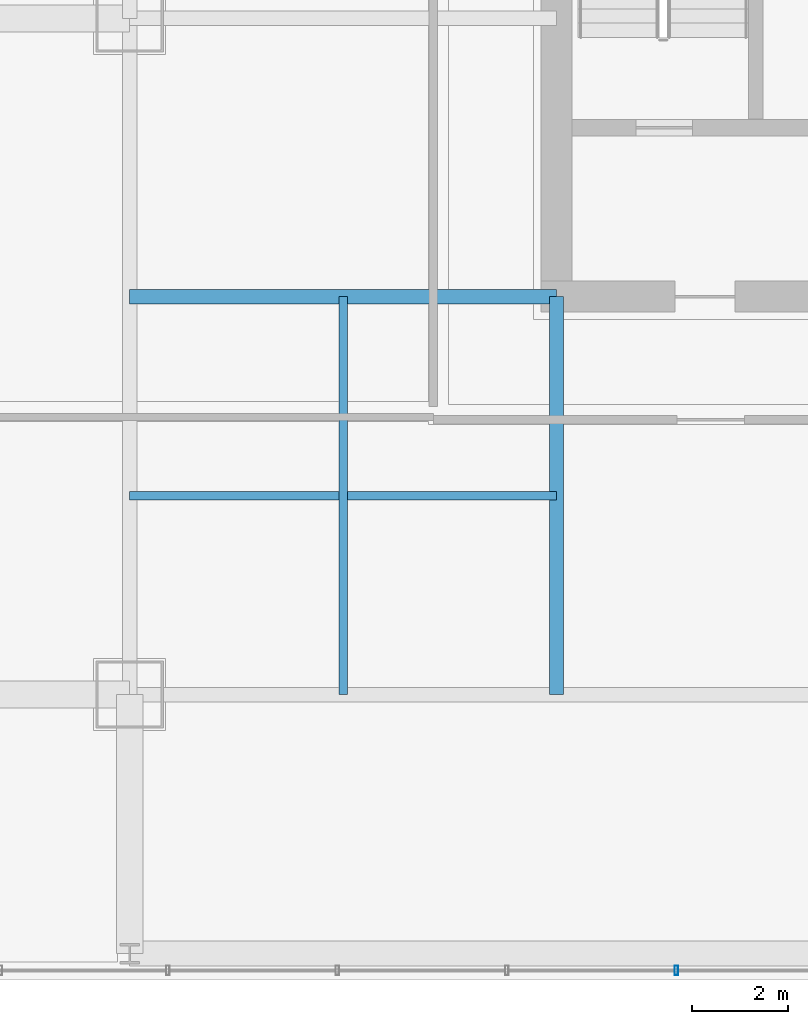
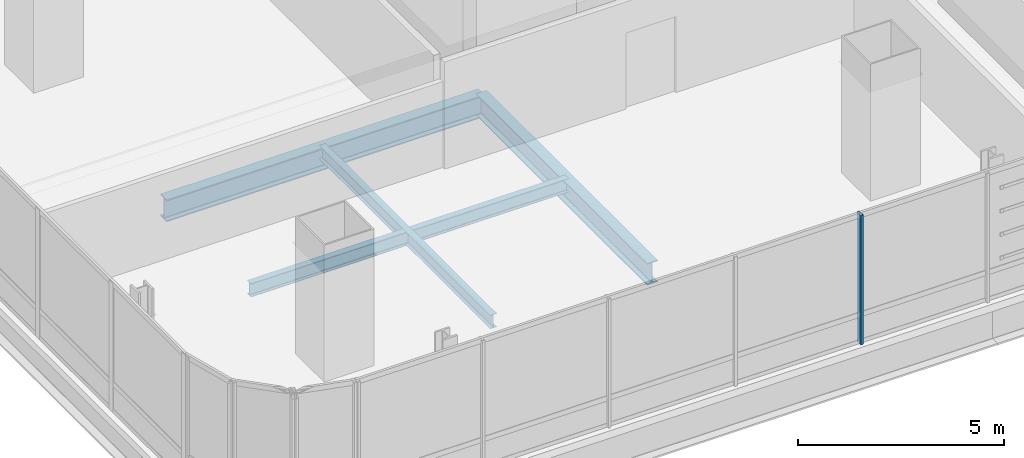
# One storey, part 5 of 37: 4 beams, 1 member, 1 element without a shape of its own.
"""IFC4 building model written with IfcOpenShell, lengths in metres."""

from ifc_helpers import new_model, si_unit, direction, frame, origin, origin_2d, place, context, subcontext, project, spatial, hollow_rectangle, i_section, extrude, material, material_profile, profile_set, type_object, element, aggregate, save


model = new_model("IFC4")

# Units and contexts
model_context = context("Model", 3, precision=1e-05, world=origin(), true_north=direction((0.0, 1.0)))
body_context = subcontext(model_context, "Body", "Model", "MODEL_VIEW")
ifc_project = project(units=[si_unit("LENGTHUNIT", "METRE"), si_unit("AREAUNIT", "SQUARE_METRE"), si_unit("VOLUMEUNIT", "CUBIC_METRE"), si_unit("PLANEANGLEUNIT", "RADIAN"), si_unit("MASSUNIT", "GRAM", prefix="KILO")], contexts=[model_context])

# Site, building, storey
site_placement = place(None, origin())
site = spatial("IfcSite", under=ifc_project, at=site_placement, CompositionType="ELEMENT")
building_placement = place(site_placement, origin())
building = spatial("IfcBuilding", under=site, at=building_placement, Name="Punatoya Terracotta Tower", CompositionType="ELEMENT")
storey_placement = place(building_placement, frame((0.0, 0.0, 192.449951171875)))
storey = spatial("IfcBuildingStorey", under=building, at=storey_placement, Name="L45", CompositionType="ELEMENT", Elevation=192.449951171875)

# Beams
ifc_material_1 = material(Name="Steel S355", Category="steel")
ifc_material_profile_1 = material_profile(ifc_material_1, i_section(OverallWidth=0.300048828125, OverallDepth=0.64990234375, WebThickness=0.01611328125, FlangeThickness=0.031005859375, FilletRadius=0.01806640625, at=origin_2d()))
ifc_profile_set_1 = profile_set([ifc_material_profile_1], Name="Steel S355")
beam_type_1 = type_object("IfcBeamType", Name="BM-PRI-650", PredefinedType="BEAM", material=ifc_profile_set_1)
beam_1_placement = place(storey_placement, frame((-19.10009765625, -9.199951171875, -0.544921875), z_axis=(1.0, 0.0, 0.0), x_axis=(0.0, 1.0, 0.0)))
element("IfcBeam", 1, at=beam_1_placement, inside=storey, type_object=beam_type_1, Name="BM-L45-PR-WS", PredefinedType="BEAM", context=body_context, shape_type="SweptSolid", body=[
    extrude(i_section(OverallWidth=0.300048828125, OverallDepth=0.64990234375, WebThickness=0.01611328125, FlangeThickness=0.031005859375, FilletRadius=0.01806640625, at=origin_2d()), origin(), (0.0, 0.0, 1.0), 8.900146484375),
])
beam_2_placement = place(storey_placement, frame((-10.199951171875, -17.5, -0.544921875), z_axis=(0.0, 1.0, 0.0), x_axis=(-1.0, 0.0, 0.0)))
element("IfcBeam", 2, at=beam_2_placement, inside=storey, type_object=beam_type_1, Name="BM-L45-PR-S1", PredefinedType="BEAM", context=body_context, shape_type="SweptSolid", body=[
    extrude(i_section(OverallWidth=0.300048828125, OverallDepth=0.64990234375, WebThickness=0.01611328125, FlangeThickness=0.031005859375, FilletRadius=0.01806640625, at=origin_2d()), origin(), (0.0, 0.0, 1.0), 8.300048828125),
])
ifc_material_profile_2 = material_profile(ifc_material_1, i_section(OverallWidth=0.179931640625, OverallDepth=0.39990234375, WebThickness=0.008544921875, FlangeThickness=0.013427734375, FilletRadius=0.01806640625, at=origin_2d()))
ifc_profile_set_2 = profile_set([ifc_material_profile_2], Name="Steel S355")
beam_type_2 = type_object("IfcBeamType", Name="BM-SEC-400", PredefinedType="JOIST", material=ifc_profile_set_2)
beam_3_placement = place(storey_placement, frame((-19.10009765625, -13.35009765625, -0.419921875), z_axis=(1.0, 0.0, 0.0), x_axis=(0.0, 1.0, 0.0)))
element("IfcBeam", 3, at=beam_3_placement, inside=storey, type_object=beam_type_2, Name="BM-L45-SJS-1", PredefinedType="JOIST", context=body_context, shape_type="SweptSolid", body=[
    extrude(i_section(OverallWidth=0.179931640625, OverallDepth=0.39990234375, WebThickness=0.008544921875, FlangeThickness=0.013427734375, FilletRadius=0.01806640625, at=origin_2d()), origin(), (0.0, 0.0, 1.0), 8.900146484375),
])
beam_4_placement = place(storey_placement, frame((-14.64990234375, -17.5, -0.419921875), z_axis=(0.0, 1.0, 0.0), x_axis=(-1.0, 0.0, 0.0)))
element("IfcBeam", 4, at=beam_4_placement, inside=storey, type_object=beam_type_2, Name="BM-L45-SJW-1", PredefinedType="JOIST", context=body_context, shape_type="SweptSolid", body=[
    extrude(i_section(OverallWidth=0.179931640625, OverallDepth=0.39990234375, WebThickness=0.008544921875, FlangeThickness=0.013427734375, FilletRadius=0.01806640625, at=origin_2d()), origin(), (0.0, 0.0, 1.0), 8.300048828125),
])

# Curtain wall, member
ifc_material_2 = material(Name="Aluminium 6063-T6 + Double Low-E Glass", Category="aluminium")
curtain_wall_type = type_object("IfcCurtainWallType", Name="CW-M2", PredefinedType="NOTDEFINED", material=ifc_material_2)
curtain_wall_placement = place(storey_placement, origin())
curtain_wall = element("IfcCurtainWall", 5, at=curtain_wall_placement, inside=storey, type_object=curtain_wall_type, Name="L45 Curtain Wall CW-L45-S01-1", PredefinedType="NOTDEFINED")
ifc_material_3 = material(Name="Aluminium 6063-T6", Category="aluminium")
ifc_material_profile_3 = material_profile(ifc_material_3, hollow_rectangle(XDim=0.072021484375, YDim=0.195068359375, WallThickness=0.00439453125, at=origin_2d()))
ifc_profile_set_3 = profile_set([ifc_material_profile_3], Name="Aluminium 6063-T6")
member_type = type_object("IfcMemberType", Name="CW-MUL-M2", PredefinedType="MULLION", material=ifc_profile_set_3)
member_placement = place(storey_placement, frame((-7.700927734375, -23.25, 0.0), z_axis=(0.0, 0.0, 1.0), x_axis=(1.0, 0.0, 0.0)))
member = element("IfcMember", 6, at=member_placement, type_object=member_type, Name="CW-L45-S01-1 Mullion 04", PredefinedType="MULLION", context=body_context, shape_type="SweptSolid", body=[
    extrude(hollow_rectangle(XDim=0.072021484375, YDim=0.195068359375, WallThickness=0.00439453125, at=origin_2d()), origin(), (0.0, 0.0, 1.0), 3.830078125),
])
aggregate(curtain_wall, [member])

save(model, "model.ifc")
